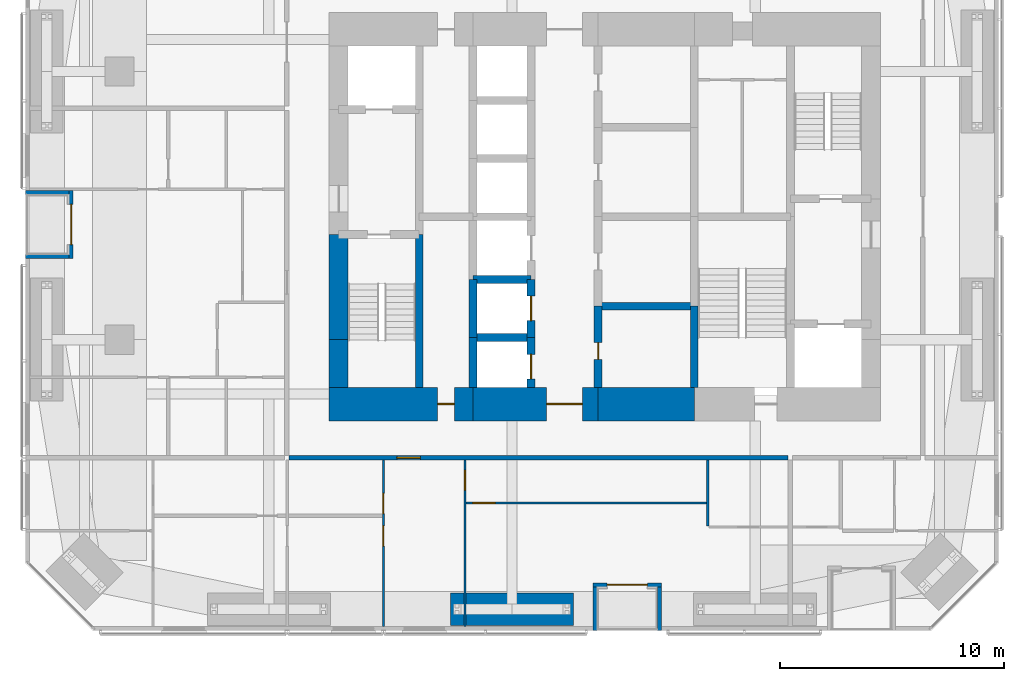
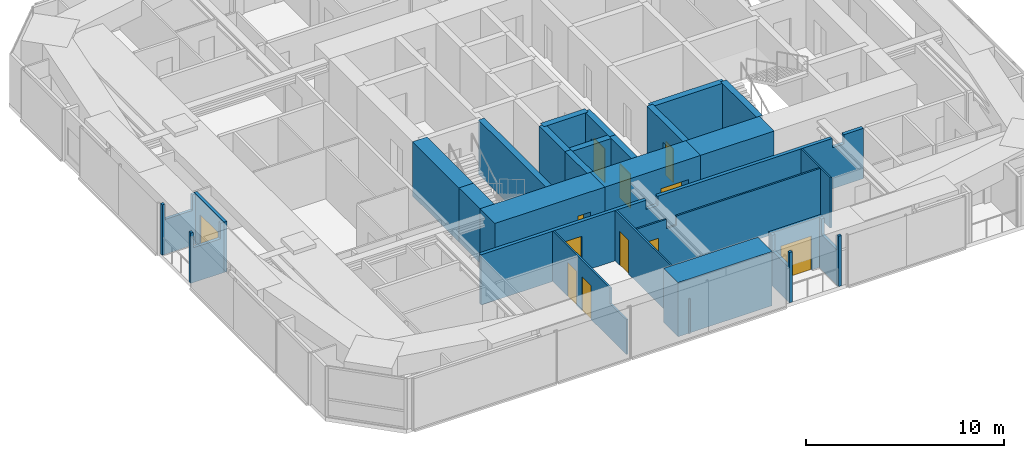
# One storey, part 18 of 24: 27 walls, 12 doors, 12 openings.
"""IFC4 building model written with IfcOpenShell, lengths in metres."""

from ifc_helpers import new_model, si_unit, direction, frame, frame_2d, origin, place, context, subcontext, project, spatial, polyline, rectangle, outline, extrude, material, layer, layer_set, constituent, constituent_set, type_object, element, fill, save


model = new_model("IFC4")

# Units and contexts
model_context = context("Model", 3, precision=1e-05, world=origin(), true_north=direction((0.0, 1.0)))
body_context = subcontext(model_context, "Body", "Model", "MODEL_VIEW")
ifc_project = project(units=[si_unit("LENGTHUNIT", "METRE"), si_unit("AREAUNIT", "SQUARE_METRE"), si_unit("VOLUMEUNIT", "CUBIC_METRE"), si_unit("PLANEANGLEUNIT", "RADIAN"), si_unit("MASSUNIT", "GRAM", prefix="KILO")], contexts=[model_context])

# Site, building, storey
site_placement = place(None, origin())
site = spatial("IfcSite", under=ifc_project, at=site_placement, CompositionType="ELEMENT")
building_placement = place(site_placement, origin())
building = spatial("IfcBuilding", under=site, at=building_placement, Name="Jalousie Tower", CompositionType="ELEMENT")
storey_placement = place(building_placement, frame((0.0, 0.0, 131.64990234375)))
storey = spatial("IfcBuildingStorey", under=building, at=storey_placement, Name="L36", CompositionType="ELEMENT", Elevation=131.64990234375)

# Wall, opening, door
ifc_material_1 = material(Name="Concrete f'c 120 MPa", Category="concrete")
ifc_layer_1 = layer(ifc_material_1, 1.5)
ifc_layer_set_1 = layer_set([ifc_layer_1], Name="Concrete f'c 120 MPa")
wall_type_1 = type_object("IfcWallType", Name="CORE WALL 1500", PredefinedType="SHEAR", material=ifc_layer_set_1)
wall_1_placement = place(storey_placement, frame((19.574951171875, 10.125, 0.0), z_axis=(0.0, 0.0, 1.0), x_axis=(1.0, 0.0, 0.0)))
wall_1 = element("IfcWall", 1, at=wall_1_placement, inside=storey, type_object=wall_type_1, Name="Core wall SA L36", PredefinedType="SHEAR", context=body_context, shape_type="SweptSolid", body=[
    extrude(rectangle(XDim=6.425048828125, YDim=1.5, at=frame_2d((3.21240234375, 0.0))), origin(), (0.0, 0.0, 1.0), 3.35009765625),
])
opening_1_placement = place(wall_1_placement, frame((4.85009765625, 0.0, 0.0)))
opening_1 = element("IfcOpeningElement", 2, at=opening_1_placement, cuts=wall_1, Name="Opening D16", PredefinedType="OPENING", context=body_context, shape_type="SweptSolid", body=[
    extrude(rectangle(XDim=0.75, YDim=2.10009765625, at=frame_2d((0.375, 1.050048828125))), frame((0.0, 0.760009765625, 0.0), z_axis=(0.0, -1.0, 0.0), x_axis=(1.0, 0.0, 0.0)), (0.0, 0.0, 1.0), 1.52001953125),
])
ifc_material_2 = material(Name="Steel fire door", Category="steel")
door_type_1 = type_object("IfcDoorType", Name="RISER DOOR 750", OperationType="SINGLE_SWING_LEFT", PredefinedType="DOOR", material=ifc_material_2)
door_1_placement = place(opening_1_placement, origin())
door_1 = element("IfcDoor", 3, at=door_1_placement, inside=storey, type_object=door_type_1, Name="South riser door", OperationType="SINGLE_SWING_LEFT", OverallHeight=2.10009765625, OverallWidth=0.75, PredefinedType="DOOR", context=body_context, shape_type="SweptSolid", body=[
    extrude(rectangle(XDim=0.75, YDim=2.10009765625, at=frame_2d((0.375, 1.050048828125))), frame((0.0, 0.02490234375, 0.0), z_axis=(0.0, -1.0, 0.0), x_axis=(1.0, 0.0, 0.0)), (0.0, 0.0, 1.0), 0.050048828125),
])
fill(opening_1, door_1)

wall_2_placement = place(storey_placement, frame((26.0, 10.125, 0.0), z_axis=(0.0, 0.0, 1.0), x_axis=(1.0, 0.0, 0.0)))
wall_2 = element("IfcWall", 4, at=wall_2_placement, inside=storey, type_object=wall_type_1, Name="Core wall SB L36", PredefinedType="SHEAR", context=body_context, shape_type="SweptSolid", body=[
    extrude(rectangle(XDim=5.60009765625, YDim=1.5, at=frame_2d((2.800048828125, 0.0))), origin(), (0.0, 0.0, 1.0), 3.35009765625),
])
opening_2_placement = place(wall_2_placement, frame((3.300048828125, 0.0, 0.0)))
opening_2 = element("IfcOpeningElement", 5, at=opening_2_placement, cuts=wall_2, Name="Opening D15", PredefinedType="OPENING", context=body_context, shape_type="SweptSolid", body=[
    extrude(rectangle(XDim=1.60009765625, YDim=2.10009765625, at=frame_2d((0.800048828125, 1.050048828125))), frame((0.0, 0.760009765625, 0.0), z_axis=(0.0, -1.0, 0.0), x_axis=(1.0, 0.0, 0.0)), (0.0, 0.0, 1.0), 1.52001953125),
])
ifc_material_3 = material(Name="Steel fire door", Category="steel")
door_type_2 = type_object("IfcDoorType", Name="LIFT LOBBY DOOR 1600", OperationType="DOUBLE_DOOR_SINGLE_SWING", PredefinedType="DOOR", material=ifc_material_3)
door_2_placement = place(opening_2_placement, origin())
door_2 = element("IfcDoor", 6, at=door_2_placement, inside=storey, type_object=door_type_2, Name="Lift lobby south door", OperationType="DOUBLE_DOOR_SINGLE_SWING", OverallHeight=2.10009765625, OverallWidth=1.60009765625, PredefinedType="DOOR", context=body_context, shape_type="SweptSolid", body=[
    extrude(rectangle(XDim=1.60009765625, YDim=2.10009765625, at=frame_2d((0.800048828125, 1.050048828125))), frame((0.0, 0.02490234375, 0.0), z_axis=(0.0, -1.0, 0.0), x_axis=(1.0, 0.0, 0.0)), (0.0, 0.0, 1.0), 0.050048828125),
])
fill(opening_2, door_2)

# Walls
wall_3_placement = place(storey_placement, frame((31.60009765625, 10.125, 0.0), z_axis=(0.0, 0.0, 1.0), x_axis=(1.0, 0.0, 0.0)))
element("IfcWall", 7, at=wall_3_placement, inside=storey, type_object=wall_type_1, Name="Core wall SC L36", PredefinedType="SHEAR", context=body_context, shape_type="SweptSolid", body=[
    extrude(rectangle(XDim=4.2998046875, YDim=1.5, at=frame_2d((2.14990234375, 0.0))), origin(), (0.0, 0.0, 1.0), 3.35009765625),
])
ifc_material_4 = material(Name="Concrete f'c 120 MPa", Category="concrete")
ifc_layer_2 = layer(ifc_material_4, 0.35009765625)
ifc_layer_set_2 = layer_set([ifc_layer_2], Name="Concrete f'c 120 MPa")
wall_type_2 = type_object("IfcWallType", Name="CORE WALL 350", PredefinedType="SHEAR", material=ifc_layer_set_2)
wall_4_placement = place(storey_placement, frame((23.60009765625, 10.875, 0.0), z_axis=(0.0, 0.0, 1.0), x_axis=(0.0, 1.0, 0.0)))
element("IfcWall", 8, at=wall_4_placement, inside=storey, type_object=wall_type_2, Name="Core wall X23.6A L36", PredefinedType="SHEAR", context=body_context, shape_type="SweptSolid", body=[
    extrude(rectangle(XDim=6.824951171875, YDim=0.35009765625, at=frame_2d((3.41259765625, 0.0))), origin(), (0.0, 0.0, 1.0), 3.35009765625),
])
wall_5_placement = place(storey_placement, frame((26.0, 10.875, 0.0), z_axis=(0.0, 0.0, 1.0), x_axis=(0.0, 1.0, 0.0)))
element("IfcWall", 9, at=wall_5_placement, inside=storey, type_object=wall_type_2, Name="Core wall X26A L36", PredefinedType="SHEAR", context=body_context, shape_type="SweptSolid", body=[
    extrude(rectangle(XDim=2.22509765625, YDim=0.35009765625, at=frame_2d((1.112548828125, 0.0))), origin(), (0.0, 0.0, 1.0), 3.35009765625),
])
wall_6_placement = place(storey_placement, frame((26.0, 13.10009765625, 0.0), z_axis=(0.0, 0.0, 1.0), x_axis=(0.0, 1.0, 0.0)))
element("IfcWall", 10, at=wall_6_placement, inside=storey, type_object=wall_type_2, Name="Core wall X26B L36", PredefinedType="SHEAR", context=body_context, shape_type="SweptSolid", body=[
    extrude(rectangle(XDim=2.599853515625, YDim=0.35009765625, at=frame_2d((1.2998046875, 0.0))), origin(), (0.0, 0.0, 1.0), 3.35009765625),
])

# Wall, opening, door
wall_7_placement = place(storey_placement, frame((28.60009765625, 10.875, 0.0), z_axis=(0.0, 0.0, 1.0), x_axis=(0.0, 1.0, 0.0)))
wall_7 = element("IfcWall", 11, at=wall_7_placement, inside=storey, type_object=wall_type_2, Name="Core wall X28.6A L36", PredefinedType="SHEAR", context=body_context, shape_type="SweptSolid", body=[
    extrude(rectangle(XDim=2.22509765625, YDim=0.35009765625, at=frame_2d((1.112548828125, 0.0))), origin(), (0.0, 0.0, 1.0), 3.35009765625),
])
opening_3_placement = place(wall_7_placement, frame((0.375, 0.0, 0.0)))
opening_3 = element("IfcOpeningElement", 12, at=opening_3_placement, cuts=wall_7, Name="Opening LD1", PredefinedType="OPENING", context=body_context, shape_type="SweptSolid", body=[
    extrude(rectangle(XDim=1.10009765625, YDim=2.10009765625, at=frame_2d((0.550048828125, 1.050048828125))), frame((0.0, 0.18505859375, 0.0), z_axis=(0.0, -1.0, 0.0), x_axis=(1.0, 0.0, 0.0)), (0.0, 0.0, 1.0), 0.3701171875),
])
ifc_material_5 = material(Name="Steel lift landing door", Category="steel")
door_type_3 = type_object("IfcDoorType", Name="LIFT LANDING DOOR 1100", OperationType="SLIDING_TO_LEFT", PredefinedType="DOOR", material=ifc_material_5)
door_3_placement = place(opening_3_placement, origin())
door_3 = element("IfcDoor", 13, at=door_3_placement, inside=storey, type_object=door_type_3, Name="Lift P1 landing door", OperationType="SLIDING_TO_LEFT", OverallHeight=2.10009765625, OverallWidth=1.10009765625, PredefinedType="DOOR", context=body_context, shape_type="SweptSolid", body=[
    extrude(rectangle(XDim=1.10009765625, YDim=2.10009765625, at=frame_2d((0.550048828125, 1.050048828125))), frame((0.0, 0.02490234375, 0.0), z_axis=(0.0, -1.0, 0.0), x_axis=(1.0, 0.0, 0.0)), (0.0, 0.0, 1.0), 0.050048828125),
])
fill(opening_3, door_3)

wall_8_placement = place(storey_placement, frame((28.60009765625, 13.10009765625, 0.0), z_axis=(0.0, 0.0, 1.0), x_axis=(0.0, 1.0, 0.0)))
wall_8 = element("IfcWall", 14, at=wall_8_placement, inside=storey, type_object=wall_type_2, Name="Core wall X28.6B L36", PredefinedType="SHEAR", context=body_context, shape_type="SweptSolid", body=[
    extrude(rectangle(XDim=2.599853515625, YDim=0.35009765625, at=frame_2d((1.2998046875, 0.0))), origin(), (0.0, 0.0, 1.0), 3.35009765625),
])
opening_4_placement = place(wall_8_placement, frame((0.75, 0.0, 0.0)))
opening_4 = element("IfcOpeningElement", 15, at=opening_4_placement, cuts=wall_8, Name="Opening LD1", PredefinedType="OPENING", context=body_context, shape_type="SweptSolid", body=[
    extrude(rectangle(XDim=1.10009765625, YDim=2.10009765625, at=frame_2d((0.550048828125, 1.050048828125))), frame((0.0, 0.18505859375, 0.0), z_axis=(0.0, -1.0, 0.0), x_axis=(1.0, 0.0, 0.0)), (0.0, 0.0, 1.0), 0.3701171875),
])
door_4_placement = place(opening_4_placement, origin())
door_4 = element("IfcDoor", 16, at=door_4_placement, inside=storey, type_object=door_type_3, Name="Lift P2 landing door", OperationType="SLIDING_TO_LEFT", OverallHeight=2.10009765625, OverallWidth=1.10009765625, PredefinedType="DOOR", context=body_context, shape_type="SweptSolid", body=[
    extrude(rectangle(XDim=1.10009765625, YDim=2.10009765625, at=frame_2d((0.550048828125, 1.050048828125))), frame((0.0, 0.02490234375, 0.0), z_axis=(0.0, -1.0, 0.0), x_axis=(1.0, 0.0, 0.0)), (0.0, 0.0, 1.0), 0.050048828125),
])
fill(opening_4, door_4)

wall_9_placement = place(storey_placement, frame((31.60009765625, 10.875, 0.0), z_axis=(0.0, 0.0, 1.0), x_axis=(0.0, 1.0, 0.0)))
wall_9 = element("IfcWall", 17, at=wall_9_placement, inside=storey, type_object=wall_type_2, Name="Core wall X31.6A L36", PredefinedType="SHEAR", context=body_context, shape_type="SweptSolid", body=[
    extrude(rectangle(XDim=3.625, YDim=0.35009765625, at=frame_2d((1.8125, 0.0))), origin(), (0.0, 0.0, 1.0), 3.35009765625),
])
opening_5_placement = place(wall_9_placement, frame((1.25, 0.0, 0.0)))
opening_5 = element("IfcOpeningElement", 18, at=opening_5_placement, cuts=wall_9, Name="Opening D16", PredefinedType="OPENING", context=body_context, shape_type="SweptSolid", body=[
    extrude(rectangle(XDim=0.75, YDim=2.10009765625, at=frame_2d((0.375, 1.050048828125))), frame((0.0, 0.18505859375, 0.0), z_axis=(0.0, -1.0, 0.0), x_axis=(1.0, 0.0, 0.0)), (0.0, 0.0, 1.0), 0.3701171875),
])
door_5_placement = place(opening_5_placement, frame((0.75, 0.0, 0.0), z_axis=(0.0, 0.0, 1.0), x_axis=(-1.0, 0.0, 0.0)))
door_5 = element("IfcDoor", 19, at=door_5_placement, inside=storey, type_object=door_type_1, Name="Refuse Room door", OperationType="SINGLE_SWING_RIGHT", OverallHeight=2.10009765625, OverallWidth=0.75, PredefinedType="DOOR", context=body_context, shape_type="SweptSolid", body=[
    extrude(rectangle(XDim=0.75, YDim=2.10009765625, at=frame_2d((0.375, 1.050048828125))), frame((0.0, 0.02490234375, 0.0), z_axis=(0.0, -1.0, 0.0), x_axis=(1.0, 0.0, 0.0)), (0.0, 0.0, 1.0), 0.050048828125),
])
fill(opening_5, door_5)

# Walls
wall_10_placement = place(storey_placement, frame((35.89990234375, 10.875, 0.0), z_axis=(0.0, 0.0, 1.0), x_axis=(0.0, 1.0, 0.0)))
element("IfcWall", 20, at=wall_10_placement, inside=storey, type_object=wall_type_2, Name="Core wall X35.9A L36", PredefinedType="SHEAR", context=body_context, shape_type="SweptSolid", body=[
    extrude(rectangle(XDim=3.625, YDim=0.35009765625, at=frame_2d((1.8125, 0.0))), origin(), (0.0, 0.0, 1.0), 3.35009765625),
])
for number, where, z_axis, x_axis, name in (
    (21, (26.0, 13.10009765625, 0.0), (0.0, 0.0, 1.0), (1.0, 0.0, 0.0), "Core wall Y26-13.1 L36"),
    (22, (26.0, 15.699951171875, 0.0), (0.0, 0.0, 1.0), (1.0, 0.0, 0.0), "Core wall Y26-15.7 L36"),
):
    element("IfcWall", number, at=place(storey_placement, frame(where, z_axis=z_axis, x_axis=x_axis)), inside=storey, type_object=wall_type_2, Name=name, PredefinedType="SHEAR", context=body_context, shape_type="SweptSolid", body=[
        extrude(rectangle(XDim=2.60009765625, YDim=0.35009765625, at=frame_2d((1.300048828125, 0.0))), origin(), (0.0, 0.0, 1.0), 3.35009765625),
    ])
wall_11_placement = place(storey_placement, frame((31.60009765625, 14.5, 0.0), z_axis=(0.0, 0.0, 1.0), x_axis=(1.0, 0.0, 0.0)))
element("IfcWall", 23, at=wall_11_placement, inside=storey, type_object=wall_type_2, Name="Core wall Y31.6-14.5 L36", PredefinedType="SHEAR", context=body_context, shape_type="SweptSolid", body=[
    extrude(rectangle(XDim=4.2998046875, YDim=0.35009765625, at=frame_2d((2.14990234375, 0.0))), origin(), (0.0, 0.0, 1.0), 3.35009765625),
])
ifc_material_6 = material(Name="Concrete f'c 120 MPa", Category="concrete")
ifc_layer_3 = layer(ifc_material_6, 0.85009765625)
ifc_layer_set_3 = layer_set([ifc_layer_3], Name="Concrete f'c 120 MPa")
wall_type_3 = type_object("IfcWallType", Name="CORE WALL 850", PredefinedType="SHEAR", material=ifc_layer_set_3)
wall_12_placement = place(storey_placement, frame((20.0, 17.699951171875, 0.0), z_axis=(0.0, 0.0, 1.0), x_axis=(0.0, -1.0, 0.0)))
element("IfcWall", 24, at=wall_12_placement, inside=storey, type_object=wall_type_3, Name="Core wall WC L36", PredefinedType="SHEAR", context=body_context, shape_type="SweptSolid", body=[
    extrude(rectangle(XDim=4.699951171875, YDim=0.85009765625, at=frame_2d((2.35009765625, 0.0))), origin(), (0.0, 0.0, 1.0), 3.35009765625),
])
wall_13_placement = place(storey_placement, frame((20.0, 13.0, 0.0), z_axis=(0.0, 0.0, 1.0), x_axis=(0.0, -1.0, 0.0)))
element("IfcWall", 25, at=wall_13_placement, inside=storey, type_object=wall_type_3, Name="Core wall WD L36", PredefinedType="SHEAR", context=body_context, shape_type="SweptSolid", body=[
    extrude(rectangle(XDim=2.125, YDim=0.85009765625, at=frame_2d((1.0625, 0.0))), origin(), (0.0, 0.0, 1.0), 3.35009765625),
])

# Wall, opening, door
ifc_material_7 = material(Name="Concrete block ASTM C90", Category="concrete")
ifc_constituent_1 = constituent(ifc_material_7, Name="Body")
ifc_material_8 = material(Name="Render")
ifc_constituent_2 = constituent(ifc_material_8, Name="Finish")
ifc_constituent_set_1 = constituent_set(constituents=[ifc_constituent_1, ifc_constituent_2])
wall_type_4 = type_object("IfcWallType", Name="CORRIDOR WALL 200", PredefinedType="PARTITIONING", material=ifc_constituent_set_1)
wall_14_placement = place(storey_placement, frame((17.77490234375, 7.72509765625, 0.0), z_axis=(0.0, 0.0, 1.0), x_axis=(1.0, 0.0, 0.0)))
wall_14 = element("IfcWall", 26, at=wall_14_placement, inside=storey, type_object=wall_type_4, Name="Corridor Wall 200 L36", PredefinedType="PARTITIONING", context=body_context, shape_type="SweptSolid", body=[
    extrude(outline(polyline([(0.0, 0.0), (22.3251953125, 0.0), (22.324951171875, 3.110107421875), (21.187255859375, 3.110107421875), (21.187255859375, 2.541015625), (20.5126953125, 2.541015625), (20.5126953125, 3.110107421875), (10.312255859375, 3.110107421875), (10.312255859375, 2.541015625), (9.6376953125, 2.541015625), (9.6376953125, 3.110107421875), (0.0, 3.110107421875), (0.0, 0.0)])), frame((0.0, 0.10009765625, 0.0), z_axis=(0.0, -1.0, 0.0), x_axis=(1.0, 0.0, 0.0)), (0.0, 0.0, 1.0), 0.199951171875),
])
opening_6_placement = place(wall_14_placement, frame((4.824951171875, 0.0, 0.0)))
opening_6 = element("IfcOpeningElement", 27, at=opening_6_placement, cuts=wall_14, Name="Opening D1", PredefinedType="OPENING", context=body_context, shape_type="SweptSolid", body=[
    extrude(rectangle(XDim=1.050048828125, YDim=2.199951171875, at=frame_2d((0.52490234375, 1.10009765625))), frame((0.0, 0.10986328125, 0.0), z_axis=(0.0, -1.0, 0.0), x_axis=(1.0, 0.0, 0.0)), (0.0, 0.0, 1.0), 0.219970703125),
])
ifc_material_9 = material(Name="Timber fire door", Category="wood")
door_type_4 = type_object("IfcDoorType", Name="APARTMENT ENTRANCE DOOR 1050", OperationType="SINGLE_SWING_LEFT", PredefinedType="DOOR", material=ifc_material_9)
door_6_placement = place(opening_6_placement, frame((1.050048828125, 0.0, 0.0), z_axis=(0.0, 0.0, 1.0), x_axis=(-1.0, 0.0, 0.0)))
door_6 = element("IfcDoor", 28, at=door_6_placement, inside=storey, type_object=door_type_4, Name="Apartment 3601 entrance", OperationType="SINGLE_SWING_RIGHT", OverallHeight=2.199951171875, OverallWidth=1.050048828125, PredefinedType="DOOR", context=body_context, shape_type="SweptSolid", body=[
    extrude(rectangle(XDim=1.050048828125, YDim=2.199951171875, at=frame_2d((0.52490234375, 1.10009765625))), frame((0.0, 0.02490234375, 0.0), z_axis=(0.0, -1.0, 0.0), x_axis=(1.0, 0.0, 0.0)), (0.0, 0.0, 1.0), 0.050048828125),
])
fill(opening_6, door_6)

ifc_material_10 = material(Name="Concrete f'c 40 MPa", Category="concrete")
ifc_constituent_3 = constituent(ifc_material_10, Name="Body")
ifc_material_11 = material(Name="Render, pastel sea green")
ifc_constituent_4 = constituent(ifc_material_11, Name="Finish")
ifc_constituent_set_2 = constituent_set(constituents=[ifc_constituent_3, ifc_constituent_4])
wall_type_5 = type_object("IfcWallType", Name="EXTERNAL WALL 175 SEA GREEN RENDER", PredefinedType="SOLIDWALL", material=ifc_constituent_set_2)
wall_15_placement = place(storey_placement, frame((31.375, 2.03759765625, 0.0), z_axis=(0.0, 0.0, 1.0), x_axis=(1.0, 0.0, 0.0)))
wall_15 = element("IfcWall", 29, at=wall_15_placement, inside=storey, type_object=wall_type_5, Name="External Wall 175 Sea Green Render L36", PredefinedType="SOLIDWALL", context=body_context, shape_type="SweptSolid", body=[
    extrude(rectangle(XDim=3.050048828125, YDim=0.175048828125, at=frame_2d((1.52490234375, 0.0))), origin(), (0.0, 0.0, 1.0), 3.110107421875),
])
opening_7_placement = place(wall_15_placement, frame((0.625, 0.0, 0.0)))
opening_7 = element("IfcOpeningElement", 30, at=opening_7_placement, cuts=wall_15, Name="Opening D-BAL21", PredefinedType="OPENING", context=body_context, shape_type="SweptSolid", body=[
    extrude(rectangle(XDim=1.800048828125, YDim=2.10009765625, at=frame_2d((0.89990234375, 1.050048828125))), frame((0.0, 0.097412109375, 0.0), z_axis=(0.0, -1.0, 0.0), x_axis=(1.0, 0.0, 0.0)), (0.0, 0.0, 1.0), 0.195068359375),
])
ifc_material_12 = material(Name="Aluminium frame, impact-rated glazing", Category="aluminium")
door_type_5 = type_object("IfcDoorType", Name="BALCONY DOOR 1800x2100", OperationType="SLIDING_TO_LEFT", PredefinedType="DOOR", material=ifc_material_12)
door_7_placement = place(opening_7_placement, origin())
door_7 = element("IfcDoor", 31, at=door_7_placement, inside=storey, type_object=door_type_5, Name="Apartment 3601 living and dining room loggia door", OperationType="SLIDING_TO_LEFT", OverallHeight=2.10009765625, OverallWidth=1.800048828125, PredefinedType="DOOR", context=body_context, shape_type="SweptSolid", body=[
    extrude(rectangle(XDim=1.800048828125, YDim=2.10009765625, at=frame_2d((0.89990234375, 1.050048828125))), frame((0.0, 0.02490234375, 0.0), z_axis=(0.0, -1.0, 0.0), x_axis=(1.0, 0.0, 0.0)), (0.0, 0.0, 1.0), 0.050048828125),
])
fill(opening_7, door_7)

# Walls
for number, where, z_axis, x_axis, name in (
    (32, (31.46240234375, 0.0, 0.0), (0.0, 0.0, 1.0), (0.0, 1.0, 0.0), "External Wall 175 Sea Green Render L36"),
    (33, (34.33740234375, 0.0, 0.0), (0.0, 0.0, 1.0), (0.0, 1.0, 0.0), "External Wall 175 Sea Green Render L36"),
):
    element("IfcWall", number, at=place(storey_placement, frame(where, z_axis=z_axis, x_axis=x_axis)), inside=storey, type_object=wall_type_5, Name=name, PredefinedType="SOLIDWALL", context=body_context, shape_type="SweptSolid", body=[
        extrude(outline(polyline([(0.0, 0.0), (1.949951171875, 0.0), (1.949951171875, 3.110107421875), (1.75, 3.110107421875), (1.75, 2.150146484375), (0.14990234375, 2.150146484375), (0.14990234375, 3.110107421875), (0.0, 3.110107421875), (0.0, 0.0)])), frame((0.0, 0.08740234375, 0.0), z_axis=(0.0, -1.0, 0.0), x_axis=(1.0, 0.0, 0.0)), (0.0, 0.0, 1.0), 0.175048828125),
    ])

# Wall, opening, door
wall_16_placement = place(storey_placement, frame((8.03759765625, 19.675048828125, 0.0), z_axis=(0.0, 0.0, 1.0), x_axis=(0.0, -1.0, 0.0)))
wall_16 = element("IfcWall", 34, at=wall_16_placement, inside=storey, type_object=wall_type_5, Name="External Wall 175 Sea Green Render L36", PredefinedType="SOLIDWALL", context=body_context, shape_type="SweptSolid", body=[
    extrude(rectangle(XDim=3.050048828125, YDim=0.175048828125, at=frame_2d((1.52490234375, 0.0))), origin(), (0.0, 0.0, 1.0), 3.110107421875),
])
opening_8_placement = place(wall_16_placement, frame((0.625, 0.0, 0.0)))
opening_8 = element("IfcOpeningElement", 35, at=opening_8_placement, cuts=wall_16, Name="Opening D-BAL21", PredefinedType="OPENING", context=body_context, shape_type="SweptSolid", body=[
    extrude(rectangle(XDim=1.800048828125, YDim=2.10009765625, at=frame_2d((0.89990234375, 1.050048828125))), frame((0.0, 0.097412109375, 0.0), z_axis=(0.0, -1.0, 0.0), x_axis=(1.0, 0.0, 0.0)), (0.0, 0.0, 1.0), 0.195068359375),
])
door_8_placement = place(opening_8_placement, origin())
door_8 = element("IfcDoor", 36, at=door_8_placement, inside=storey, type_object=door_type_5, Name="Apartment 3604 living and dining room loggia door", OperationType="SLIDING_TO_LEFT", OverallHeight=2.10009765625, OverallWidth=1.800048828125, PredefinedType="DOOR", context=body_context, shape_type="SweptSolid", body=[
    extrude(rectangle(XDim=1.800048828125, YDim=2.10009765625, at=frame_2d((0.89990234375, 1.050048828125))), frame((0.0, 0.02490234375, 0.0), z_axis=(0.0, -1.0, 0.0), x_axis=(1.0, 0.0, 0.0)), (0.0, 0.0, 1.0), 0.050048828125),
])
fill(opening_8, door_8)

# Walls
for number, where, z_axis, x_axis, name in (
    (37, (6.0, 19.58740234375, 0.0), (0.0, 0.0, 1.0), (1.0, 0.0, 0.0), "External Wall 175 Sea Green Render L36"),
    (38, (6.0, 16.71240234375, 0.0), (0.0, 0.0, 1.0), (1.0, 0.0, 0.0), "External Wall 175 Sea Green Render L36"),
):
    element("IfcWall", number, at=place(storey_placement, frame(where, z_axis=z_axis, x_axis=x_axis)), inside=storey, type_object=wall_type_5, Name=name, PredefinedType="SOLIDWALL", context=body_context, shape_type="SweptSolid", body=[
        extrude(outline(polyline([(0.0, 0.0), (1.949951171875, 0.0), (1.949951171875, 3.110107421875), (1.75, 3.110107421875), (1.75, 2.150146484375), (0.14990234375, 2.150146484375), (0.14990234375, 3.110107421875), (0.0, 3.110107421875), (0.0, 0.0)])), frame((0.0, 0.08740234375, 0.0), z_axis=(0.0, -1.0, 0.0), x_axis=(1.0, 0.0, 0.0)), (0.0, 0.0, 1.0), 0.175048828125),
    ])

# Wall, openings, doors
ifc_material_13 = material(Name="Gypsum board", Category="gypsum")
ifc_constituent_5 = constituent(ifc_material_13, Name="Body")
ifc_material_14 = material(Name="Light-gauge steel studs ASTM A653 SS Grade 33", Category="steel")
ifc_constituent_6 = constituent(ifc_material_14, Name="Framing")
ifc_constituent_set_3 = constituent_set(constituents=[ifc_constituent_5, ifc_constituent_6])
wall_type_6 = type_object("IfcWallType", Name="PARTITION 100", PredefinedType="PARTITIONING", material=ifc_constituent_set_3)
wall_17_placement = place(storey_placement, frame((22.0, 0.175048828125, 0.0), z_axis=(0.0, 0.0, 1.0), x_axis=(0.0, 1.0, 0.0)))
wall_17 = element("IfcWall", 39, at=wall_17_placement, inside=storey, type_object=wall_type_6, Name="Partition 100 L36", PredefinedType="PARTITIONING", context=body_context, shape_type="SweptSolid", body=[
    extrude(outline(polyline([(0.0, 0.0), (7.449951171875, 0.0), (7.449951171875, 3.110107421875), (1.635009765625, 3.110107421875), (1.635009765625, 2.150146484375), (0.0, 2.150146484375), (0.0, 3.110107421875), (0.0, 0.0)])), frame((0.0, 0.050048828125, 0.0), z_axis=(0.0, -1.0, 0.0), x_axis=(1.0, 0.0, 0.0)), (0.0, 0.0, 1.0), 0.10009765625),
])
opening_9_placement = place(wall_17_placement, frame((3.60009765625, 0.0, 0.0)))
opening_9 = element("IfcOpeningElement", 40, at=opening_9_placement, cuts=wall_17, Name="Opening D2", PredefinedType="OPENING", context=body_context, shape_type="SweptSolid", body=[
    extrude(rectangle(XDim=0.89990234375, YDim=2.10009765625, at=frame_2d((0.449951171875, 1.050048828125))), frame((0.0, 0.06005859375, 0.0), z_axis=(0.0, -1.0, 0.0), x_axis=(1.0, 0.0, 0.0)), (0.0, 0.0, 1.0), 0.1201171875),
])
opening_10_placement = place(wall_17_placement, frame((5.050048828125, 0.0, 0.0)))
opening_10 = element("IfcOpeningElement", 41, at=opening_10_placement, cuts=wall_17, Name="Opening D7", PredefinedType="OPENING", context=body_context, shape_type="SweptSolid", body=[
    extrude(rectangle(XDim=0.89990234375, YDim=2.10009765625, at=frame_2d((0.449951171875, 1.050048828125))), frame((0.0, 0.06005859375, 0.0), z_axis=(0.0, -1.0, 0.0), x_axis=(1.0, 0.0, 0.0)), (0.0, 0.0, 1.0), 0.1201171875),
])
ifc_material_15 = material(Name="Timber door", Category="wood")
door_type_6 = type_object("IfcDoorType", Name="BEDROOM DOOR 900", OperationType="SINGLE_SWING_LEFT", PredefinedType="DOOR", material=ifc_material_15)
door_9_placement = place(opening_9_placement, origin())
door_9 = element("IfcDoor", 42, at=door_9_placement, inside=storey, type_object=door_type_6, Name="Apartment 3601 bedroom 3 door", OperationType="SINGLE_SWING_RIGHT", OverallHeight=2.10009765625, OverallWidth=0.89990234375, PredefinedType="DOOR", context=body_context, shape_type="SweptSolid", body=[
    extrude(rectangle(XDim=0.89990234375, YDim=2.10009765625, at=frame_2d((0.449951171875, 1.050048828125))), frame((0.0, 0.02490234375, 0.0), z_axis=(0.0, -1.0, 0.0), x_axis=(1.0, 0.0, 0.0)), (0.0, 0.0, 1.0), 0.050048828125),
])
fill(opening_9, door_9)
ifc_material_16 = material(Name="Timber door", Category="wood")
door_type_7 = type_object("IfcDoorType", Name="INTERNAL DOOR 900", OperationType="SINGLE_SWING_LEFT", PredefinedType="DOOR", material=ifc_material_16)
door_10_placement = place(opening_10_placement, origin())
door_10 = element("IfcDoor", 43, at=door_10_placement, inside=storey, type_object=door_type_7, Name="Apartment 3601 bathroom door", OperationType="SINGLE_SWING_LEFT", OverallHeight=2.10009765625, OverallWidth=0.89990234375, PredefinedType="DOOR", context=body_context, shape_type="SweptSolid", body=[
    extrude(rectangle(XDim=0.89990234375, YDim=2.10009765625, at=frame_2d((0.449951171875, 1.050048828125))), frame((0.0, 0.02490234375, 0.0), z_axis=(0.0, -1.0, 0.0), x_axis=(1.0, 0.0, 0.0)), (0.0, 0.0, 1.0), 0.050048828125),
])
fill(opening_10, door_10)

# Wall, opening, door
wall_18_placement = place(storey_placement, frame((25.64990234375, 0.175048828125, 0.0), z_axis=(0.0, 0.0, 1.0), x_axis=(0.0, 1.0, 0.0)))
wall_18 = element("IfcWall", 44, at=wall_18_placement, inside=storey, type_object=wall_type_6, Name="Partition 100 L36", PredefinedType="PARTITIONING", context=body_context, shape_type="SweptSolid", body=[
    extrude(outline(polyline([(0.52880859375, 2.150146484375), (0.0, 2.150146484375), (0.0, 0.0), (0.52880859375, 0.0), (0.52880859375, 0.0341796875), (1.021240234375, 0.0341796875), (1.021240234375, 0.0), (7.449951171875, 0.0), (7.449951171875, 3.110107421875), (1.635009765625, 3.110107421875), (1.635009765625, 2.150146484375), (1.021240234375, 2.150146484375), (1.021240234375, 2.115966796875), (0.52880859375, 2.115966796875), (0.52880859375, 2.150146484375)])), frame((0.0, 0.050048828125, 0.0), z_axis=(0.0, -1.0, 0.0), x_axis=(1.0, 0.0, 0.0)), (0.0, 0.0, 1.0), 0.10009765625),
])
opening_11_placement = place(wall_18_placement, frame((6.10009765625, 0.0, 0.0)))
opening_11 = element("IfcOpeningElement", 45, at=opening_11_placement, cuts=wall_18, Name="Opening D2", PredefinedType="OPENING", context=body_context, shape_type="SweptSolid", body=[
    extrude(rectangle(XDim=0.89990234375, YDim=2.10009765625, at=frame_2d((0.449951171875, 1.050048828125))), frame((0.0, 0.06005859375, 0.0), z_axis=(0.0, -1.0, 0.0), x_axis=(1.0, 0.0, 0.0)), (0.0, 0.0, 1.0), 0.1201171875),
])
door_11_placement = place(opening_11_placement, origin())
door_11 = element("IfcDoor", 46, at=door_11_placement, inside=storey, type_object=door_type_6, Name="Apartment 3601 study door", OperationType="SINGLE_SWING_RIGHT", OverallHeight=2.10009765625, OverallWidth=0.89990234375, PredefinedType="DOOR", context=body_context, shape_type="SweptSolid", body=[
    extrude(rectangle(XDim=0.89990234375, YDim=2.10009765625, at=frame_2d((0.449951171875, 1.050048828125))), frame((0.0, 0.02490234375, 0.0), z_axis=(0.0, -1.0, 0.0), x_axis=(1.0, 0.0, 0.0)), (0.0, 0.0, 1.0), 0.050048828125),
])
fill(opening_11, door_11)

# Wall
wall_19_placement = place(storey_placement, frame((36.5, 4.675048828125, 0.0), z_axis=(0.0, 0.0, 1.0), x_axis=(0.0, 1.0, 0.0)))
element("IfcWall", 47, at=wall_19_placement, inside=storey, type_object=wall_type_6, Name="Partition 100 L36", PredefinedType="PARTITIONING", context=body_context, shape_type="SweptSolid", body=[
    extrude(rectangle(XDim=2.949951171875, YDim=0.10009765625, at=frame_2d((1.47509765625, 0.0))), origin(), (0.0, 0.0, 1.0), 3.110107421875),
])

# Wall, opening, door
wall_20_placement = place(storey_placement, frame((25.699951171875, 5.699951171875, 0.0), z_axis=(0.0, 0.0, 1.0), x_axis=(1.0, 0.0, 0.0)))
wall_20 = element("IfcWall", 48, at=wall_20_placement, inside=storey, type_object=wall_type_6, Name="Partition 100 L36", PredefinedType="PARTITIONING", context=body_context, shape_type="SweptSolid", body=[
    extrude(outline(polyline([(0.0, 0.0), (10.75, 0.0), (10.75, 3.110107421875), (2.33740234375, 3.110107421875), (2.33740234375, 2.541015625), (1.7626953125, 2.541015625), (1.7626953125, 3.110107421875), (0.0, 3.110107421875), (0.0, 0.0)])), frame((0.0, 0.050048828125, 0.0), z_axis=(0.0, -1.0, 0.0), x_axis=(1.0, 0.0, 0.0)), (0.0, 0.0, 1.0), 0.10009765625),
])
opening_12_placement = place(wall_20_placement, frame((0.300048828125, 0.0, 0.0)))
opening_12 = element("IfcOpeningElement", 49, at=opening_12_placement, cuts=wall_20, Name="Opening D6", PredefinedType="OPENING", context=body_context, shape_type="SweptSolid", body=[
    extrude(rectangle(XDim=1.0, YDim=2.10009765625, at=frame_2d((0.5, 1.050048828125))), frame((0.0, 0.06005859375, 0.0), z_axis=(0.0, -1.0, 0.0), x_axis=(1.0, 0.0, 0.0)), (0.0, 0.0, 1.0), 0.1201171875),
])
ifc_material_17 = material(Name="Timber door", Category="wood")
door_type_8 = type_object("IfcDoorType", Name="INTERNAL DOOR 1000", OperationType="SINGLE_SWING_LEFT", PredefinedType="DOOR", material=ifc_material_17)
door_12_placement = place(opening_12_placement, frame((1.0, 0.0, 0.0), z_axis=(0.0, 0.0, 1.0), x_axis=(-1.0, 0.0, 0.0)))
door_12 = element("IfcDoor", 50, at=door_12_placement, inside=storey, type_object=door_type_8, Name="Apartment 3601 hall door", OperationType="SINGLE_SWING_RIGHT", OverallHeight=2.10009765625, OverallWidth=1.0, PredefinedType="DOOR", context=body_context, shape_type="SweptSolid", body=[
    extrude(rectangle(XDim=1.0, YDim=2.10009765625, at=frame_2d((0.5, 1.050048828125))), frame((0.0, 0.02490234375, 0.0), z_axis=(0.0, -1.0, 0.0), x_axis=(1.0, 0.0, 0.0)), (0.0, 0.0, 1.0), 0.050048828125),
])
fill(opening_12, door_12)

# Wall
ifc_material_18 = material(Name="Concrete f'c 120 MPa", Category="concrete")
ifc_layer_4 = layer(ifc_material_18, 1.449951171875)
ifc_layer_set_4 = layer_set([ifc_layer_4], Name="Concrete f'c 120 MPa")
wall_type_7 = type_object("IfcWallType", Name="RC WALL PIER 1450", PredefinedType="SHEAR", material=ifc_layer_set_4)
wall_21_placement = place(storey_placement, frame((25.0, 0.949951171875, 0.0), z_axis=(0.0, 0.0, 1.0), x_axis=(1.0, 0.0, 0.0)))
element("IfcWall", 51, at=wall_21_placement, inside=storey, type_object=wall_type_7, Name="Wall pier 03 L36", PredefinedType="SHEAR", context=body_context, shape_type="SweptSolid", body=[
    extrude(rectangle(XDim=5.5, YDim=1.449951171875, at=frame_2d((2.75, 0.0))), origin(), (0.0, 0.0, 1.0), 3.35009765625),
])

save(model, "model.ifc")
